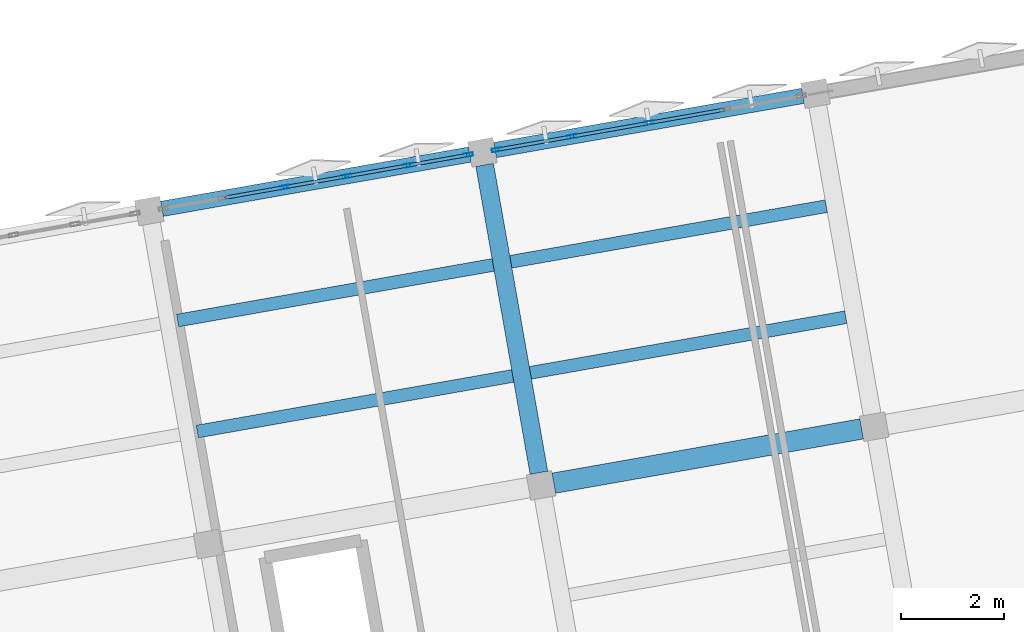
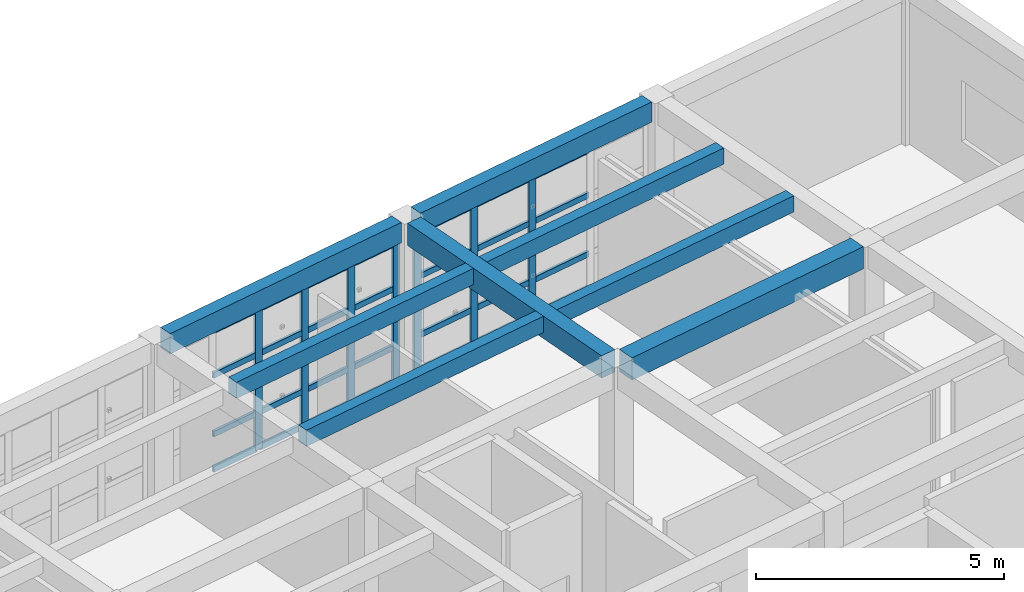
# One storey, part 7 of 15: 35 members, 8 beams, 2 elements without a shape of their own.
"""IFC4 building model written with IfcOpenShell, lengths in metres."""

from ifc_helpers import new_model, si_unit, direction, frame, origin, origin_2d, place, context, subcontext, project, spatial, rectangle, hollow_rectangle, extrude, material, layer, layer_set, material_profile, profile_set, type_object, element, aggregate, save


model = new_model("IFC4")

# Units and contexts
model_context = context("Model", 3, precision=1e-05, world=origin(), true_north=direction((0.0, 1.0)))
body_context = subcontext(model_context, "Body", "Model", "MODEL_VIEW")
ifc_project = project(units=[si_unit("LENGTHUNIT", "METRE"), si_unit("AREAUNIT", "SQUARE_METRE"), si_unit("VOLUMEUNIT", "CUBIC_METRE"), si_unit("PLANEANGLEUNIT", "RADIAN"), si_unit("MASSUNIT", "GRAM", prefix="KILO")], contexts=[model_context])

# Site, building, storey
site_placement = place(None, origin())
site = spatial("IfcSite", under=ifc_project, at=site_placement, CompositionType="ELEMENT")
building_placement = place(site_placement, origin())
building = spatial("IfcBuilding", under=site, at=building_placement, Name="Kharisveld Research Institute", CompositionType="ELEMENT")
storey_placement = place(building_placement, frame((0.0, 0.0, 40.800048828125)))
storey = spatial("IfcBuildingStorey", under=building, at=storey_placement, Name="L09", CompositionType="ELEMENT", Elevation=40.800048828125)

# Beams
ifc_material_1 = material(Name="Concrete C40/50", Category="concrete")
ifc_material_profile_1 = material_profile(ifc_material_1, rectangle(XDim=0.35009765625, YDim=0.550048828125, at=origin_2d()))
ifc_profile_set_1 = profile_set([ifc_material_profile_1], Name="Concrete C40/50")
beam_type_1 = type_object("IfcBeamType", Name="BM_RC_350x550", PredefinedType="BEAM", material=ifc_profile_set_1)
beam_1_placement = place(storey_placement, frame((22.363525390625, 51.69384765625, 3.73486328125), z_axis=(-0.173620940611, 0.984812555252, 0.0), x_axis=(-0.984812555252, -0.173620940611, 0.0)))
element("IfcBeam", 1, at=beam_1_placement, inside=storey, type_object=beam_type_1, Name="BM:V1:L09:V3_2", PredefinedType="BEAM", context=body_context, shape_type="SweptSolid", body=[
    extrude(rectangle(XDim=0.35009765625, YDim=0.550048828125, at=origin_2d()), origin(), (0.0, 0.0, 1.0), 6.099853515625),
])
ifc_material_2 = material(Name="Concrete C40/50", Category="concrete")
ifc_material_profile_2 = material_profile(ifc_material_2, rectangle(XDim=0.39990234375, YDim=0.550048828125, at=origin_2d()))
ifc_profile_set_2 = profile_set([ifc_material_profile_2], Name="Concrete C40/50")
beam_type_2 = type_object("IfcBeamType", Name="BM_RC_400x550", PredefinedType="BEAM", material=ifc_profile_set_2)
beam_2_placement = place(storey_placement, frame((22.6533203125, 51.4912109375, 3.73486328125), z_axis=(0.984812555252, 0.173620940611, 0.0), x_axis=(-0.173620940611, 0.984812555252, 0.0)))
element("IfcBeam", 2, at=beam_2_placement, inside=storey, type_object=beam_type_2, Name="BM:V1:L09:U3_2", PredefinedType="BEAM", context=body_context, shape_type="SweptSolid", body=[
    extrude(rectangle(XDim=0.39990234375, YDim=0.550048828125, at=origin_2d()), origin(), (0.0, 0.0, 1.0), 6.099853515625),
])

# Curtain wall, members
ifc_material_3 = material(Name="Thermally Broken Aluminium Curtain Wall", Category="aluminium")
ifc_layer_1 = layer(ifc_material_3, 0.159912109375)
ifc_layer_set_1 = layer_set([ifc_layer_1], Name="CW_SYS_02")
curtain_wall_type_1 = type_object("IfcCurtainWallType", Name="CW_SYS_02", PredefinedType="NOTDEFINED", material=ifc_layer_set_1)
curtain_wall_1_placement = place(storey_placement, origin())
curtain_wall_1 = element("IfcCurtainWall", 3, at=curtain_wall_1_placement, inside=storey, type_object=curtain_wall_type_1, Name="CW:V1:L09:N2", PredefinedType="NOTDEFINED")
ifc_material_4 = material(Name="Anodised Aluminium AW-6063-T6", Category="aluminium")
ifc_material_profile_3 = material_profile(ifc_material_4, hollow_rectangle(XDim=0.070068359375, YDim=0.179931640625, WallThickness=0.00439453125, at=origin_2d()))
ifc_profile_set_3 = profile_set([ifc_material_profile_3], Name="Anodised Aluminium AW-6063-T6")
member_type_1 = type_object("IfcMemberType", Name="CW_MUL_180", PredefinedType="MULLION", material=ifc_profile_set_3)
member_1_placement = place(storey_placement, frame((17.409423828125, 57.268310546875, 0.0), z_axis=(0.0, 0.0, 1.0), x_axis=(-0.173648102039, 0.984807766347, 0.0)))
member_1 = element("IfcMember", 4, at=member_1_placement, type_object=member_type_1, Name="CW-02 mullion 3", PredefinedType="MULLION", context=body_context, shape_type="SweptSolid", body=[
    extrude(hollow_rectangle(XDim=0.070068359375, YDim=0.179931640625, WallThickness=0.00439453125, at=origin_2d()), origin(), (0.0, 0.0, 1.0), 3.47998046875),
])
member_2_placement = place(storey_placement, frame((18.61279296875, 57.48046875, 0.0), z_axis=(0.0, 0.0, 1.0), x_axis=(-0.173648102039, 0.984807766347, 0.0)))
member_2 = element("IfcMember", 5, at=member_2_placement, type_object=member_type_1, Name="CW-02 mullion 4", PredefinedType="MULLION", context=body_context, shape_type="SweptSolid", body=[
    extrude(hollow_rectangle(XDim=0.070068359375, YDim=0.179931640625, WallThickness=0.00439453125, at=origin_2d()), origin(), (0.0, 0.0, 1.0), 3.47998046875),
])
member_3_placement = place(storey_placement, frame((19.816162109375, 57.692626953125, 0.0), z_axis=(0.0, 0.0, 1.0), x_axis=(-0.173648102039, 0.984807766347, 0.0)))
member_3 = element("IfcMember", 6, at=member_3_placement, type_object=member_type_1, Name="CW-02 mullion 5", PredefinedType="MULLION", context=body_context, shape_type="SweptSolid", body=[
    extrude(hollow_rectangle(XDim=0.070068359375, YDim=0.179931640625, WallThickness=0.00439453125, at=origin_2d()), origin(), (0.0, 0.0, 1.0), 3.47998046875),
])
member_4_placement = place(storey_placement, frame((20.985107421875, 57.89892578125, 0.0), z_axis=(0.0, 0.0, 1.0), x_axis=(-0.173648102039, 0.984807766347, 0.0)))
member_4 = element("IfcMember", 7, at=member_4_placement, type_object=member_type_1, Name="CW-02 mullion 6", PredefinedType="MULLION", context=body_context, shape_type="SweptSolid", body=[
    extrude(hollow_rectangle(XDim=0.070068359375, YDim=0.179931640625, WallThickness=0.00439453125, at=origin_2d()), origin(), (0.0, 0.0, 1.0), 3.47998046875),
])

ifc_material_5 = material(Name="Thermally Broken Aluminium Curtain Wall", Category="aluminium")
ifc_layer_2 = layer(ifc_material_5, 0.159912109375)
ifc_layer_set_2 = layer_set([ifc_layer_2], Name="CW_SYS_03")
curtain_wall_type_2 = type_object("IfcCurtainWallType", Name="CW_SYS_03", PredefinedType="NOTDEFINED", material=ifc_layer_set_2)
curtain_wall_2_placement = place(storey_placement, origin())
curtain_wall_2 = element("IfcCurtainWall", 8, at=curtain_wall_2_placement, inside=storey, type_object=curtain_wall_type_2, Name="CW:V1:L09:N3", PredefinedType="NOTDEFINED")
member_5_placement = place(storey_placement, frame((21.53662109375, 57.99609375, 0.0), z_axis=(0.0, 0.0, 1.0), x_axis=(-0.173648130021, 0.984807761413, 0.0)))
member_5 = element("IfcMember", 9, at=member_5_placement, type_object=member_type_1, Name="CW-03 mullion 1", PredefinedType="MULLION", context=body_context, shape_type="SweptSolid", body=[
    extrude(hollow_rectangle(XDim=0.070068359375, YDim=0.179931640625, WallThickness=0.00439453125, at=origin_2d()), origin(), (0.0, 0.0, 1.0), 3.47998046875),
])
member_6_placement = place(storey_placement, frame((23.006591796875, 58.255126953125, 0.0), z_axis=(0.0, 0.0, 1.0), x_axis=(-0.173648130021, 0.984807761413, 0.0)))
member_6 = element("IfcMember", 10, at=member_6_placement, type_object=member_type_1, Name="CW-03 mullion 2", PredefinedType="MULLION", context=body_context, shape_type="SweptSolid", body=[
    extrude(hollow_rectangle(XDim=0.070068359375, YDim=0.179931640625, WallThickness=0.00439453125, at=origin_2d()), origin(), (0.0, 0.0, 1.0), 3.47998046875),
])
member_7_placement = place(storey_placement, frame((24.5107421875, 58.5205078125, 0.0), z_axis=(0.0, 0.0, 1.0), x_axis=(-0.173648130021, 0.984807761413, 0.0)))
member_7 = element("IfcMember", 11, at=member_7_placement, type_object=member_type_1, Name="CW-03 mullion 3", PredefinedType="MULLION", context=body_context, shape_type="SweptSolid", body=[
    extrude(hollow_rectangle(XDim=0.070068359375, YDim=0.179931640625, WallThickness=0.00439453125, at=origin_2d()), origin(), (0.0, 0.0, 1.0), 3.47998046875),
])

# Member
ifc_material_6 = material(Name="Anodised Aluminium AW-6063-T6", Category="aluminium")
ifc_material_profile_4 = material_profile(ifc_material_6, hollow_rectangle(XDim=0.06494140625, YDim=0.139892578125, WallThickness=0.00390625, at=origin_2d()))
ifc_profile_set_4 = profile_set([ifc_material_profile_4], Name="Anodised Aluminium AW-6063-T6")
member_type_2 = type_object("IfcMemberType", Name="CW_TRN_140", PredefinedType="USERDEFINED", material=ifc_profile_set_4)
member_8_placement = place(storey_placement, frame((16.240478515625, 57.062255859375, 0.032470703125), z_axis=(0.984821937543, 0.173567713976, 0.0), x_axis=(-0.173567713976, 0.984821937543, 0.0)))
member_8 = element("IfcMember", 12, at=member_8_placement, type_object=member_type_2, Name="CW-02 transom 2.1", ObjectType="TRANSOM", PredefinedType="USERDEFINED", context=body_context, shape_type="SweptSolid", body=[
    extrude(hollow_rectangle(XDim=0.06494140625, YDim=0.139892578125, WallThickness=0.00390625, at=origin_2d()), origin(), (0.0, 0.0, 1.0), 1.152099609375),
])

member_9_placement = place(storey_placement, frame((16.240478515625, 57.062255859375, 0.89990234375), z_axis=(0.984821937543, 0.173567713976, 0.0), x_axis=(-0.173567713976, 0.984821937543, 0.0)))
member_9 = element("IfcMember", 13, at=member_9_placement, type_object=member_type_2, Name="CW-02 transom 2.2", ObjectType="TRANSOM", PredefinedType="USERDEFINED", context=body_context, shape_type="SweptSolid", body=[
    extrude(hollow_rectangle(XDim=0.06494140625, YDim=0.139892578125, WallThickness=0.00390625, at=origin_2d()), origin(), (0.0, 0.0, 1.0), 1.152099609375),
])

member_10_placement = place(storey_placement, frame((16.240478515625, 57.062255859375, 2.349853515625), z_axis=(0.984821937543, 0.173567713976, 0.0), x_axis=(-0.173567713976, 0.984821937543, 0.0)))
member_10 = element("IfcMember", 14, at=member_10_placement, type_object=member_type_2, Name="CW-02 transom 2.3", ObjectType="TRANSOM", PredefinedType="USERDEFINED", context=body_context, shape_type="SweptSolid", body=[
    extrude(hollow_rectangle(XDim=0.06494140625, YDim=0.139892578125, WallThickness=0.00390625, at=origin_2d()), origin(), (0.0, 0.0, 1.0), 1.152099609375),
])

member_11_placement = place(storey_placement, frame((16.240478515625, 57.062255859375, 3.447509765625), z_axis=(0.984821937543, 0.173567713976, 0.0), x_axis=(-0.173567713976, 0.984821937543, 0.0)))
member_11 = element("IfcMember", 15, at=member_11_placement, type_object=member_type_2, Name="CW-02 transom 2.4", ObjectType="TRANSOM", PredefinedType="USERDEFINED", context=body_context, shape_type="SweptSolid", body=[
    extrude(hollow_rectangle(XDim=0.06494140625, YDim=0.139892578125, WallThickness=0.00390625, at=origin_2d()), origin(), (0.0, 0.0, 1.0), 1.152099609375),
])

member_12_placement = place(storey_placement, frame((17.44384765625, 57.2744140625, 0.032470703125), z_axis=(0.984821937543, 0.173567713976, 0.0), x_axis=(-0.173567713976, 0.984821937543, 0.0)))
member_12 = element("IfcMember", 16, at=member_12_placement, type_object=member_type_2, Name="CW-02 transom 3.1", ObjectType="TRANSOM", PredefinedType="USERDEFINED", context=body_context, shape_type="SweptSolid", body=[
    extrude(hollow_rectangle(XDim=0.06494140625, YDim=0.139892578125, WallThickness=0.00390625, at=origin_2d()), origin(), (0.0, 0.0, 1.0), 1.152099609375),
])

member_13_placement = place(storey_placement, frame((17.44384765625, 57.2744140625, 0.89990234375), z_axis=(0.984821937543, 0.173567713976, 0.0), x_axis=(-0.173567713976, 0.984821937543, 0.0)))
member_13 = element("IfcMember", 17, at=member_13_placement, type_object=member_type_2, Name="CW-02 transom 3.2", ObjectType="TRANSOM", PredefinedType="USERDEFINED", context=body_context, shape_type="SweptSolid", body=[
    extrude(hollow_rectangle(XDim=0.06494140625, YDim=0.139892578125, WallThickness=0.00390625, at=origin_2d()), origin(), (0.0, 0.0, 1.0), 1.152099609375),
])

member_14_placement = place(storey_placement, frame((17.44384765625, 57.2744140625, 2.349853515625), z_axis=(0.984821937543, 0.173567713976, 0.0), x_axis=(-0.173567713976, 0.984821937543, 0.0)))
member_14 = element("IfcMember", 18, at=member_14_placement, type_object=member_type_2, Name="CW-02 transom 3.3", ObjectType="TRANSOM", PredefinedType="USERDEFINED", context=body_context, shape_type="SweptSolid", body=[
    extrude(hollow_rectangle(XDim=0.06494140625, YDim=0.139892578125, WallThickness=0.00390625, at=origin_2d()), origin(), (0.0, 0.0, 1.0), 1.152099609375),
])

member_15_placement = place(storey_placement, frame((17.44384765625, 57.2744140625, 3.447509765625), z_axis=(0.984821937543, 0.173567713976, 0.0), x_axis=(-0.173567713976, 0.984821937543, 0.0)))
member_15 = element("IfcMember", 19, at=member_15_placement, type_object=member_type_2, Name="CW-02 transom 3.4", ObjectType="TRANSOM", PredefinedType="USERDEFINED", context=body_context, shape_type="SweptSolid", body=[
    extrude(hollow_rectangle(XDim=0.06494140625, YDim=0.139892578125, WallThickness=0.00390625, at=origin_2d()), origin(), (0.0, 0.0, 1.0), 1.152099609375),
])

member_16_placement = place(storey_placement, frame((18.647216796875, 57.486572265625, 0.032470703125), z_axis=(0.984821937543, 0.173567713976, 0.0), x_axis=(-0.173567713976, 0.984821937543, 0.0)))
member_16 = element("IfcMember", 20, at=member_16_placement, type_object=member_type_2, Name="CW-02 transom 4.1", ObjectType="TRANSOM", PredefinedType="USERDEFINED", context=body_context, shape_type="SweptSolid", body=[
    extrude(hollow_rectangle(XDim=0.06494140625, YDim=0.139892578125, WallThickness=0.00390625, at=origin_2d()), origin(), (0.0, 0.0, 1.0), 1.152099609375),
])

member_17_placement = place(storey_placement, frame((18.647216796875, 57.486572265625, 0.89990234375), z_axis=(0.984821937543, 0.173567713976, 0.0), x_axis=(-0.173567713976, 0.984821937543, 0.0)))
member_17 = element("IfcMember", 21, at=member_17_placement, type_object=member_type_2, Name="CW-02 transom 4.2", ObjectType="TRANSOM", PredefinedType="USERDEFINED", context=body_context, shape_type="SweptSolid", body=[
    extrude(hollow_rectangle(XDim=0.06494140625, YDim=0.139892578125, WallThickness=0.00390625, at=origin_2d()), origin(), (0.0, 0.0, 1.0), 1.152099609375),
])

member_18_placement = place(storey_placement, frame((18.647216796875, 57.486572265625, 2.349853515625), z_axis=(0.984821937543, 0.173567713976, 0.0), x_axis=(-0.173567713976, 0.984821937543, 0.0)))
member_18 = element("IfcMember", 22, at=member_18_placement, type_object=member_type_2, Name="CW-02 transom 4.3", ObjectType="TRANSOM", PredefinedType="USERDEFINED", context=body_context, shape_type="SweptSolid", body=[
    extrude(hollow_rectangle(XDim=0.06494140625, YDim=0.139892578125, WallThickness=0.00390625, at=origin_2d()), origin(), (0.0, 0.0, 1.0), 1.152099609375),
])

member_19_placement = place(storey_placement, frame((18.647216796875, 57.486572265625, 3.447509765625), z_axis=(0.984821937543, 0.173567713976, 0.0), x_axis=(-0.173567713976, 0.984821937543, 0.0)))
member_19 = element("IfcMember", 23, at=member_19_placement, type_object=member_type_2, Name="CW-02 transom 4.4", ObjectType="TRANSOM", PredefinedType="USERDEFINED", context=body_context, shape_type="SweptSolid", body=[
    extrude(hollow_rectangle(XDim=0.06494140625, YDim=0.139892578125, WallThickness=0.00390625, at=origin_2d()), origin(), (0.0, 0.0, 1.0), 1.152099609375),
])

member_20_placement = place(storey_placement, frame((19.850830078125, 57.69873046875, 0.032470703125), z_axis=(0.984783558818, 0.173785333909, 0.0), x_axis=(-0.173785333909, 0.984783558818, 0.0)))
member_20 = element("IfcMember", 24, at=member_20_placement, type_object=member_type_2, Name="CW-02 transom 5.1", ObjectType="TRANSOM", PredefinedType="USERDEFINED", context=body_context, shape_type="SweptSolid", body=[
    extrude(hollow_rectangle(XDim=0.06494140625, YDim=0.139892578125, WallThickness=0.00390625, at=origin_2d()), origin(), (0.0, 0.0, 1.0), 1.116943359375),
])

member_21_placement = place(storey_placement, frame((19.850830078125, 57.69873046875, 0.89990234375), z_axis=(0.984783558818, 0.173785333909, 0.0), x_axis=(-0.173785333909, 0.984783558818, 0.0)))
member_21 = element("IfcMember", 25, at=member_21_placement, type_object=member_type_2, Name="CW-02 transom 5.2", ObjectType="TRANSOM", PredefinedType="USERDEFINED", context=body_context, shape_type="SweptSolid", body=[
    extrude(hollow_rectangle(XDim=0.06494140625, YDim=0.139892578125, WallThickness=0.00390625, at=origin_2d()), origin(), (0.0, 0.0, 1.0), 1.116943359375),
])

member_22_placement = place(storey_placement, frame((19.850830078125, 57.69873046875, 2.349853515625), z_axis=(0.984783558818, 0.173785333909, 0.0), x_axis=(-0.173785333909, 0.984783558818, 0.0)))
member_22 = element("IfcMember", 26, at=member_22_placement, type_object=member_type_2, Name="CW-02 transom 5.3", ObjectType="TRANSOM", PredefinedType="USERDEFINED", context=body_context, shape_type="SweptSolid", body=[
    extrude(hollow_rectangle(XDim=0.06494140625, YDim=0.139892578125, WallThickness=0.00390625, at=origin_2d()), origin(), (0.0, 0.0, 1.0), 1.116943359375),
])

member_23_placement = place(storey_placement, frame((19.850830078125, 57.69873046875, 3.447509765625), z_axis=(0.984783558818, 0.173785333909, 0.0), x_axis=(-0.173785333909, 0.984783558818, 0.0)))
member_23 = element("IfcMember", 27, at=member_23_placement, type_object=member_type_2, Name="CW-02 transom 5.4", ObjectType="TRANSOM", PredefinedType="USERDEFINED", context=body_context, shape_type="SweptSolid", body=[
    extrude(hollow_rectangle(XDim=0.06494140625, YDim=0.139892578125, WallThickness=0.00390625, at=origin_2d()), origin(), (0.0, 0.0, 1.0), 1.116943359375),
])

aggregate(curtain_wall_1, [member_1, member_2, member_3, member_4, member_8, member_9, member_10, member_11, member_12, member_13, member_14, member_15, member_16, member_17, member_18, member_19, member_20, member_21, member_22, member_23])

member_24_placement = place(storey_placement, frame((21.5712890625, 58.002197265625, 0.032470703125), z_axis=(0.984830175258, 0.173520966746, 0.0), x_axis=(-0.173520966746, 0.984830175258, 0.0)))
member_24 = element("IfcMember", 28, at=member_24_placement, type_object=member_type_2, Name="CW-03 transom 1.1", ObjectType="TRANSOM", PredefinedType="USERDEFINED", context=body_context, shape_type="SweptSolid", body=[
    extrude(hollow_rectangle(XDim=0.06494140625, YDim=0.139892578125, WallThickness=0.00390625, at=origin_2d()), origin(), (0.0, 0.0, 1.0), 1.42236328125),
])

member_25_placement = place(storey_placement, frame((21.5712890625, 58.002197265625, 0.89990234375), z_axis=(0.984830175258, 0.173520966746, 0.0), x_axis=(-0.173520966746, 0.984830175258, 0.0)))
member_25 = element("IfcMember", 29, at=member_25_placement, type_object=member_type_2, Name="CW-03 transom 1.2", ObjectType="TRANSOM", PredefinedType="USERDEFINED", context=body_context, shape_type="SweptSolid", body=[
    extrude(hollow_rectangle(XDim=0.06494140625, YDim=0.139892578125, WallThickness=0.00390625, at=origin_2d()), origin(), (0.0, 0.0, 1.0), 1.42236328125),
])

member_26_placement = place(storey_placement, frame((21.5712890625, 58.002197265625, 2.349853515625), z_axis=(0.984830175258, 0.173520966746, 0.0), x_axis=(-0.173520966746, 0.984830175258, 0.0)))
member_26 = element("IfcMember", 30, at=member_26_placement, type_object=member_type_2, Name="CW-03 transom 1.3", ObjectType="TRANSOM", PredefinedType="USERDEFINED", context=body_context, shape_type="SweptSolid", body=[
    extrude(hollow_rectangle(XDim=0.06494140625, YDim=0.139892578125, WallThickness=0.00390625, at=origin_2d()), origin(), (0.0, 0.0, 1.0), 1.42236328125),
])

member_27_placement = place(storey_placement, frame((21.5712890625, 58.002197265625, 3.447509765625), z_axis=(0.984830175258, 0.173520966746, 0.0), x_axis=(-0.173520966746, 0.984830175258, 0.0)))
member_27 = element("IfcMember", 31, at=member_27_placement, type_object=member_type_2, Name="CW-03 transom 1.4", ObjectType="TRANSOM", PredefinedType="USERDEFINED", context=body_context, shape_type="SweptSolid", body=[
    extrude(hollow_rectangle(XDim=0.06494140625, YDim=0.139892578125, WallThickness=0.00390625, at=origin_2d()), origin(), (0.0, 0.0, 1.0), 1.42236328125),
])

member_28_placement = place(storey_placement, frame((23.041015625, 58.26123046875, 0.032470703125), z_axis=(0.984797046668, 0.173708885422, 0.0), x_axis=(-0.173708885422, 0.984797046668, 0.0)))
member_28 = element("IfcMember", 32, at=member_28_placement, type_object=member_type_2, Name="CW-03 transom 2.1", ObjectType="TRANSOM", PredefinedType="USERDEFINED", context=body_context, shape_type="SweptSolid", body=[
    extrude(hollow_rectangle(XDim=0.06494140625, YDim=0.139892578125, WallThickness=0.00390625, at=origin_2d()), origin(), (0.0, 0.0, 1.0), 1.45751953125),
])

member_29_placement = place(storey_placement, frame((23.041015625, 58.26123046875, 0.89990234375), z_axis=(0.984797046668, 0.173708885422, 0.0), x_axis=(-0.173708885422, 0.984797046668, 0.0)))
member_29 = element("IfcMember", 33, at=member_29_placement, type_object=member_type_2, Name="CW-03 transom 2.2", ObjectType="TRANSOM", PredefinedType="USERDEFINED", context=body_context, shape_type="SweptSolid", body=[
    extrude(hollow_rectangle(XDim=0.06494140625, YDim=0.139892578125, WallThickness=0.00390625, at=origin_2d()), origin(), (0.0, 0.0, 1.0), 1.45751953125),
])

member_30_placement = place(storey_placement, frame((23.041015625, 58.26123046875, 2.349853515625), z_axis=(0.984797046668, 0.173708885422, 0.0), x_axis=(-0.173708885422, 0.984797046668, 0.0)))
member_30 = element("IfcMember", 34, at=member_30_placement, type_object=member_type_2, Name="CW-03 transom 2.3", ObjectType="TRANSOM", PredefinedType="USERDEFINED", context=body_context, shape_type="SweptSolid", body=[
    extrude(hollow_rectangle(XDim=0.06494140625, YDim=0.139892578125, WallThickness=0.00390625, at=origin_2d()), origin(), (0.0, 0.0, 1.0), 1.45751953125),
])

member_31_placement = place(storey_placement, frame((23.041015625, 58.26123046875, 3.447509765625), z_axis=(0.984797046668, 0.173708885422, 0.0), x_axis=(-0.173708885422, 0.984797046668, 0.0)))
member_31 = element("IfcMember", 35, at=member_31_placement, type_object=member_type_2, Name="CW-03 transom 2.4", ObjectType="TRANSOM", PredefinedType="USERDEFINED", context=body_context, shape_type="SweptSolid", body=[
    extrude(hollow_rectangle(XDim=0.06494140625, YDim=0.139892578125, WallThickness=0.00390625, at=origin_2d()), origin(), (0.0, 0.0, 1.0), 1.45751953125),
])

member_32_placement = place(storey_placement, frame((24.54541015625, 58.526611328125, 0.032470703125), z_axis=(0.984825689868, 0.17354642196, 0.0), x_axis=(-0.17354642196, 0.984825689868, 0.0)))
member_32 = element("IfcMember", 36, at=member_32_placement, type_object=member_type_2, Name="CW-03 transom 3.1", ObjectType="TRANSOM", PredefinedType="USERDEFINED", context=body_context, shape_type="SweptSolid", body=[
    extrude(hollow_rectangle(XDim=0.06494140625, YDim=0.139892578125, WallThickness=0.00390625, at=origin_2d()), origin(), (0.0, 0.0, 1.0), 1.45751953125),
])

member_33_placement = place(storey_placement, frame((24.54541015625, 58.526611328125, 0.89990234375), z_axis=(0.984825689868, 0.17354642196, 0.0), x_axis=(-0.17354642196, 0.984825689868, 0.0)))
member_33 = element("IfcMember", 37, at=member_33_placement, type_object=member_type_2, Name="CW-03 transom 3.2", ObjectType="TRANSOM", PredefinedType="USERDEFINED", context=body_context, shape_type="SweptSolid", body=[
    extrude(hollow_rectangle(XDim=0.06494140625, YDim=0.139892578125, WallThickness=0.00390625, at=origin_2d()), origin(), (0.0, 0.0, 1.0), 1.45751953125),
])

member_34_placement = place(storey_placement, frame((24.54541015625, 58.526611328125, 2.349853515625), z_axis=(0.984825689868, 0.17354642196, 0.0), x_axis=(-0.17354642196, 0.984825689868, 0.0)))
member_34 = element("IfcMember", 38, at=member_34_placement, type_object=member_type_2, Name="CW-03 transom 3.3", ObjectType="TRANSOM", PredefinedType="USERDEFINED", context=body_context, shape_type="SweptSolid", body=[
    extrude(hollow_rectangle(XDim=0.06494140625, YDim=0.139892578125, WallThickness=0.00390625, at=origin_2d()), origin(), (0.0, 0.0, 1.0), 1.45751953125),
])

member_35_placement = place(storey_placement, frame((24.54541015625, 58.526611328125, 3.447509765625), z_axis=(0.984825689868, 0.17354642196, 0.0), x_axis=(-0.17354642196, 0.984825689868, 0.0)))
member_35 = element("IfcMember", 39, at=member_35_placement, type_object=member_type_2, Name="CW-03 transom 3.4", ObjectType="TRANSOM", PredefinedType="USERDEFINED", context=body_context, shape_type="SweptSolid", body=[
    extrude(hollow_rectangle(XDim=0.06494140625, YDim=0.139892578125, WallThickness=0.00390625, at=origin_2d()), origin(), (0.0, 0.0, 1.0), 1.45751953125),
])

aggregate(curtain_wall_2, [member_5, member_6, member_7, member_24, member_25, member_26, member_27, member_28, member_29, member_30, member_31, member_32, member_33, member_34, member_35])

# Beams
ifc_material_7 = material(Name="Concrete C40/50", Category="concrete")
ifc_material_profile_5 = material_profile(ifc_material_7, rectangle(XDim=0.300048828125, YDim=0.5, at=origin_2d()))
ifc_profile_set_5 = profile_set([ifc_material_profile_5], Name="Concrete C40/50")
beam_type_3 = type_object("IfcBeamType", Name="SP_RC_300x500", PredefinedType="SPANDREL", material=ifc_profile_set_5)
for number, where, z_axis, x_axis, name in (
    (40, (15.00732421875, 56.8447265625, 3.760009765625), (0.984805711192, 0.173659757005, 0.0), (-0.173659757005, 0.984805711192, 0.0), "BM:V1:L09:U2_3"),
    (41, (21.507080078125, 57.99072265625, 3.760009765625), (0.984805711192, 0.173659757005, 0.0), (-0.173659757005, 0.984805711192, 0.0), "BM:V1:L09:U3_3"),
):
    element("IfcBeam", number, at=place(storey_placement, frame(where, z_axis=z_axis, x_axis=x_axis)), inside=storey, type_object=beam_type_3, Name=name, PredefinedType="SPANDREL", context=body_context, shape_type="SweptSolid", body=[
        extrude(rectangle(XDim=0.300048828125, YDim=0.5, at=origin_2d()), origin(), (0.0, 0.0, 1.0), 6.10009765625),
    ])
ifc_material_8 = material(Name="Concrete C40/50", Category="concrete")
ifc_material_profile_6 = material_profile(ifc_material_8, rectangle(XDim=0.25, YDim=0.39990234375, at=origin_2d()))
ifc_profile_set_6 = profile_set([ifc_material_profile_6], Name="Concrete C40/50")
beam_type_4 = type_object("IfcBeamType", Name="WB_RC_250x400", PredefinedType="JOIST", material=ifc_profile_set_6)
beam_3_placement = place(storey_placement, frame((15.697509765625, 52.49853515625, 3.81005859375), z_axis=(0.984804785945, 0.173665003899, 0.0), x_axis=(-0.173665003899, 0.984804785945, 0.0)))
element("IfcBeam", 42, at=beam_3_placement, inside=storey, type_object=beam_type_4, Name="BM:V1:L09:J_2_2_R1", PredefinedType="JOIST", context=body_context, shape_type="SweptSolid", body=[
    extrude(rectangle(XDim=0.25, YDim=0.39990234375, at=origin_2d()), origin(), (0.0, 0.0, 1.0), 6.250244140625),
])
for number, where, z_axis, x_axis, name in (
    (43, (15.315673828125, 54.6650390625, 3.81005859375), (0.984803607817, 0.173671684596, 0.0), (-0.173671684596, 0.984803607817, 0.0), "BM:V1:L09:J_2_2_R2"),
    (44, (22.197265625, 53.644775390625, 3.81005859375), (0.984810288083, 0.17363379995, 0.0), (-0.17363379995, 0.984810288083, 0.0), "BM:V1:L09:J_3_2_R1"),
    (45, (21.8154296875, 55.811279296875, 3.81005859375), (0.984810288083, 0.17363379995, 0.0), (-0.17363379995, 0.984810288083, 0.0), "BM:V1:L09:J_3_2_R2"),
):
    element("IfcBeam", number, at=place(storey_placement, frame(where, z_axis=z_axis, x_axis=x_axis)), inside=storey, type_object=beam_type_4, Name=name, PredefinedType="JOIST", context=body_context, shape_type="SweptSolid", body=[
        extrude(rectangle(XDim=0.25, YDim=0.39990234375, at=origin_2d()), origin(), (0.0, 0.0, 1.0), 6.25),
    ])

save(model, "model.ifc")
